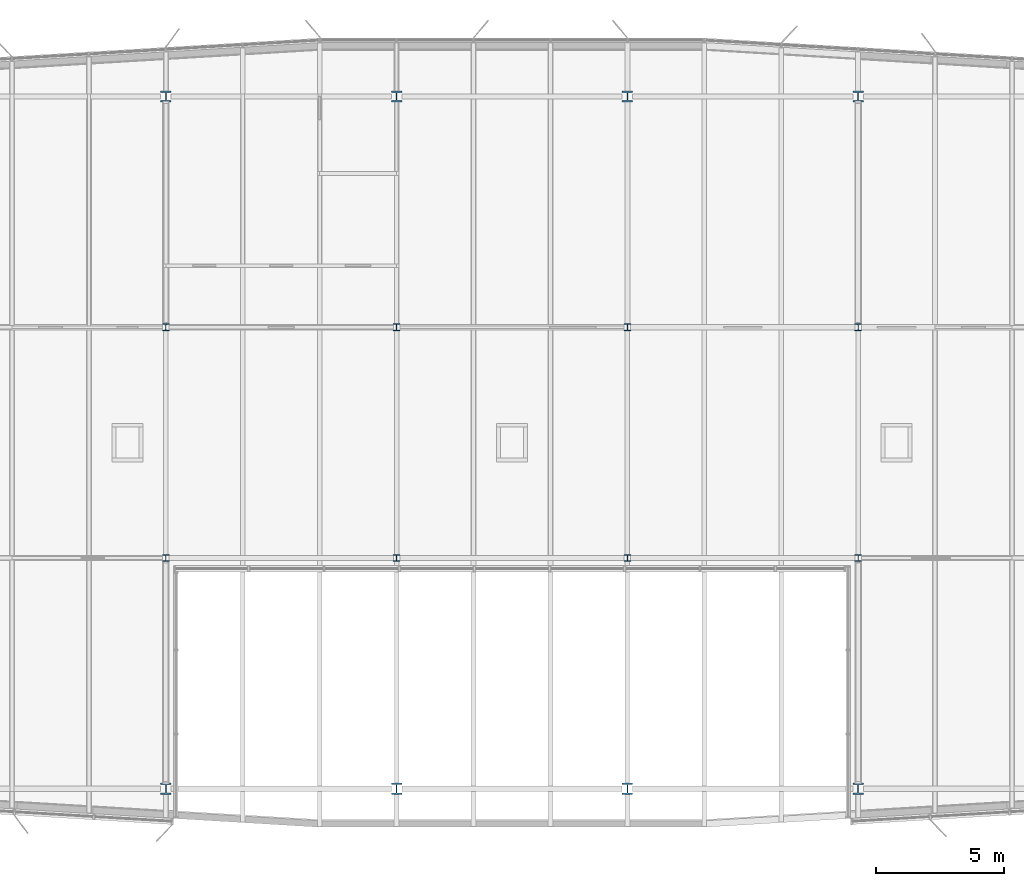
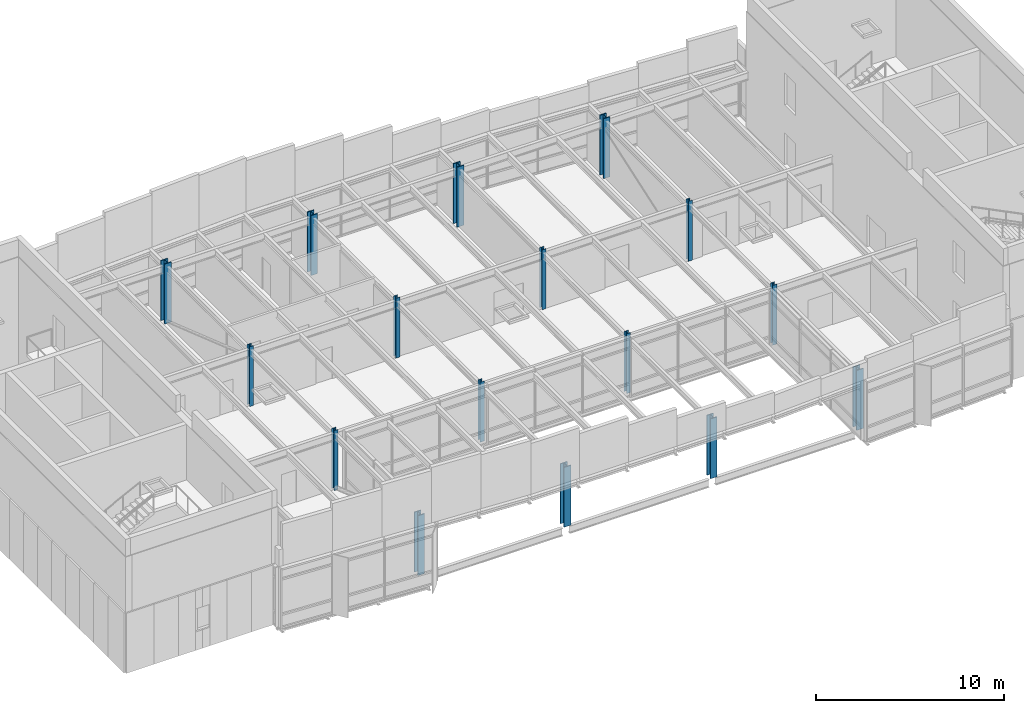
# One storey, part 1 of 23: 16 columns.
"""IFC4 building model written with IfcOpenShell, lengths in metres."""

from ifc_helpers import new_model, si_unit, direction, frame, origin, origin_2d, place, context, subcontext, project, spatial, i_section, extrude, material, material_profile, profile_set, type_object, element, save


model = new_model("IFC4")

# Units and contexts
model_context = context("Model", 3, precision=1e-05, world=origin(), true_north=direction((0.0, 1.0)))
body_context = subcontext(model_context, "Body", "Model", "MODEL_VIEW")
ifc_project = project(units=[si_unit("LENGTHUNIT", "METRE"), si_unit("AREAUNIT", "SQUARE_METRE"), si_unit("VOLUMEUNIT", "CUBIC_METRE"), si_unit("PLANEANGLEUNIT", "RADIAN"), si_unit("MASSUNIT", "GRAM", prefix="KILO")], contexts=[model_context])

# Site, building, storey
site_placement = place(None, origin())
site = spatial("IfcSite", under=ifc_project, at=site_placement, CompositionType="ELEMENT")
building_placement = place(site_placement, origin())
building = spatial("IfcBuilding", under=site, at=building_placement, Name="Azimuth Sports and Learning Centre", CompositionType="ELEMENT")
storey_placement = place(building_placement, frame((0.0, 0.0, 75.300048828125)))
storey = spatial("IfcBuildingStorey", under=building, at=storey_placement, Name="L17", CompositionType="ELEMENT", Elevation=75.300048828125)

# Columns
ifc_material_1 = material(Name="Steel S460", Category="steel")
ifc_material_profile_1 = material_profile(ifc_material_1, i_section(OverallWidth=0.412109375, OverallDepth=0.43505859375, WebThickness=0.035888671875, FlangeThickness=0.057373046875, FilletRadius=0.014892578125, at=origin_2d()), Name="HD 400x463")
ifc_profile_set_1 = profile_set([ifc_material_profile_1], Name="Steel S460")
column_type_1 = type_object("IfcColumnType", Name="Column HD 400x463", PredefinedType="COLUMN", material=ifc_profile_set_1)
for number, where, z_axis, x_axis, name in (
    (1, (72.0, 90.0, 0.0), (0.0, 0.0, 1.0), (1.0, 0.0, 0.0), "Hall column 9L L17"),
    (2, (81.0, 90.0, 0.0), (0.0, 0.0, 1.0), (1.0, 0.0, 0.0), "Hall column 10L L17"),
    (3, (90.0, 90.0, 0.0), (0.0, 0.0, 1.0), (1.0, 0.0, 0.0), "Hall column 11L L17"),
    (4, (99.0, 90.0, 0.0), (0.0, 0.0, 1.0), (1.0, 0.0, 0.0), "Hall column 12L L17"),
    (5, (72.0, 117.0, 0.0), (0.0, 0.0, 1.0), (1.0, 0.0, 0.0), "Hall column 9P L17"),
    (6, (81.0, 117.0, 0.0), (0.0, 0.0, 1.0), (1.0, 0.0, 0.0), "Hall column 10P L17"),
    (7, (90.0, 117.0, 0.0), (0.0, 0.0, 1.0), (1.0, 0.0, 0.0), "Hall column 11P L17"),
    (8, (99.0, 117.0, 0.0), (0.0, 0.0, 1.0), (1.0, 0.0, 0.0), "Hall column 12P L17"),
):
    element("IfcColumn", number, at=place(storey_placement, frame(where, z_axis=z_axis, x_axis=x_axis)), inside=storey, type_object=column_type_1, Name=name, PredefinedType="COLUMN", context=body_context, shape_type="SweptSolid", body=[
        extrude(i_section(OverallWidth=0.412109375, OverallDepth=0.43505859375, WebThickness=0.035888671875, FlangeThickness=0.057373046875, FilletRadius=0.014892578125, at=origin_2d()), origin(), (0.0, 0.0, 1.0), 3.89990234375),
    ])
ifc_material_2 = material(Name="Steel S355", Category="steel")
ifc_material_profile_2 = material_profile(ifc_material_2, i_section(OverallWidth=0.260009765625, OverallDepth=0.260009765625, WebThickness=0.010009765625, FlangeThickness=0.017578125, FilletRadius=0.02392578125, at=origin_2d()), Name="HEB 260")
ifc_profile_set_2 = profile_set([ifc_material_profile_2], Name="Steel S355")
column_type_2 = type_object("IfcColumnType", Name="Column HEB 260", PredefinedType="COLUMN", material=ifc_profile_set_2)
for number, where, z_axis, x_axis, name in (
    (9, (72.0, 99.0, 0.0), (0.0, 0.0, 1.0), (1.0, 0.0, 0.0), "Tower column 9M L17"),
    (10, (81.0, 99.0, 0.0), (0.0, 0.0, 1.0), (1.0, 0.0, 0.0), "Tower column 10M L17"),
    (11, (90.0, 99.0, 0.0), (0.0, 0.0, 1.0), (1.0, 0.0, 0.0), "Tower column 11M L17"),
    (12, (99.0, 99.0, 0.0), (0.0, 0.0, 1.0), (1.0, 0.0, 0.0), "Tower column 12M L17"),
    (13, (72.0, 108.0, 0.0), (0.0, 0.0, 1.0), (1.0, 0.0, 0.0), "Tower column 9N L17"),
    (14, (81.0, 108.0, 0.0), (0.0, 0.0, 1.0), (1.0, 0.0, 0.0), "Tower column 10N L17"),
    (15, (90.0, 108.0, 0.0), (0.0, 0.0, 1.0), (1.0, 0.0, 0.0), "Tower column 11N L17"),
    (16, (99.0, 108.0, 0.0), (0.0, 0.0, 1.0), (1.0, 0.0, 0.0), "Tower column 12N L17"),
):
    element("IfcColumn", number, at=place(storey_placement, frame(where, z_axis=z_axis, x_axis=x_axis)), inside=storey, type_object=column_type_2, Name=name, PredefinedType="COLUMN", context=body_context, shape_type="SweptSolid", body=[
        extrude(i_section(OverallWidth=0.260009765625, OverallDepth=0.260009765625, WebThickness=0.010009765625, FlangeThickness=0.017578125, FilletRadius=0.02392578125, at=origin_2d()), origin(), (0.0, 0.0, 1.0), 3.89990234375),
    ])

save(model, "model.ifc")
